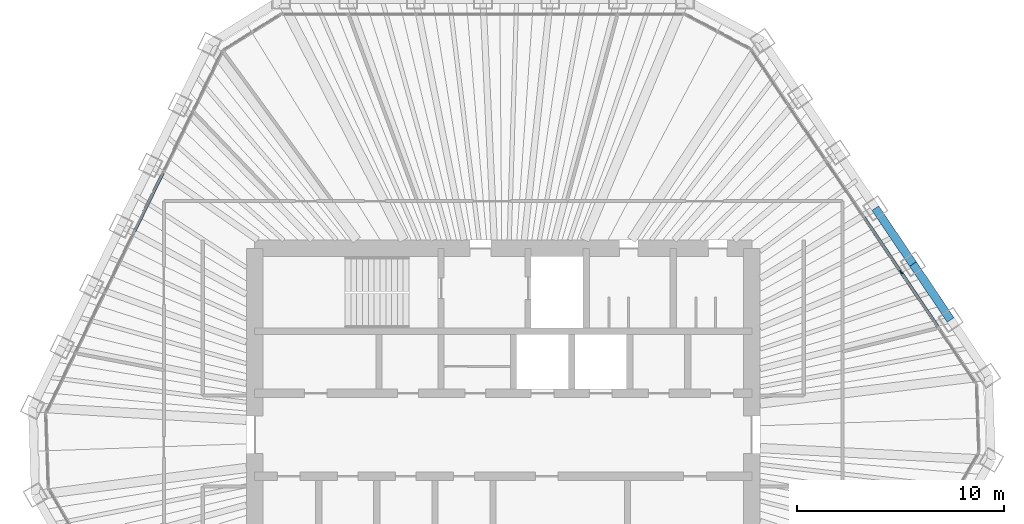
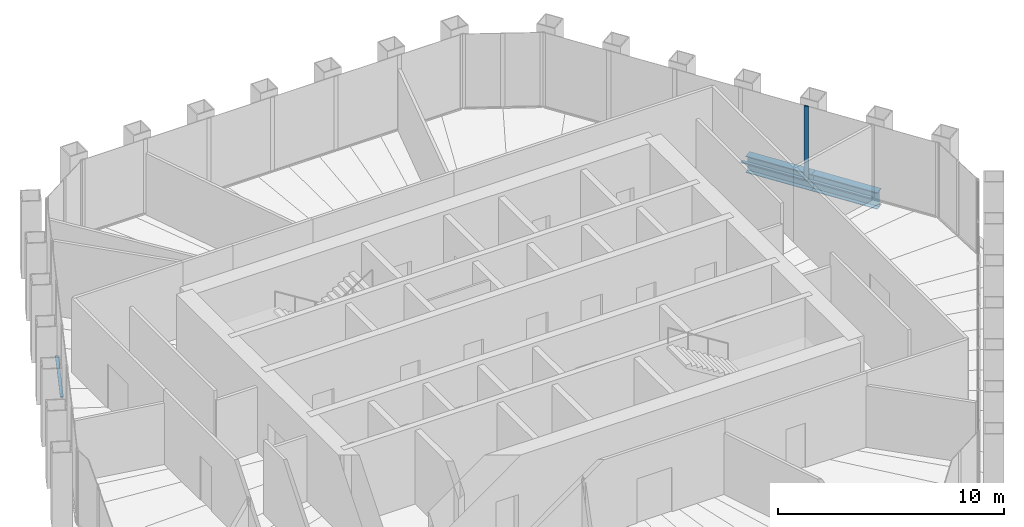
# One storey, part 6 of 14: 4 members, 2 beams, 2 elements without a shape of their own.
"""IFC4 building model written with IfcOpenShell, lengths in metres."""

from ifc_helpers import new_model, si_unit, direction, frame, origin, origin_2d, place, context, subcontext, project, spatial, rectangle, i_section, extrude, material, material_profile, profile_set, type_object, element, aggregate, save


model = new_model("IFC4")

# Units and contexts
model_context = context("Model", 3, precision=1e-05, world=origin(), true_north=direction((0.0, 1.0)))
body_context = subcontext(model_context, "Body", "Model", "MODEL_VIEW")
ifc_project = project(units=[si_unit("LENGTHUNIT", "METRE"), si_unit("AREAUNIT", "SQUARE_METRE"), si_unit("VOLUMEUNIT", "CUBIC_METRE"), si_unit("PLANEANGLEUNIT", "RADIAN"), si_unit("MASSUNIT", "GRAM", prefix="KILO")], contexts=[model_context])

# Site, building, storey
site_placement = place(None, origin())
site = spatial("IfcSite", under=ifc_project, at=site_placement, CompositionType="ELEMENT")
building_placement = place(site_placement, origin())
building = spatial("IfcBuilding", under=site, at=building_placement, Name="Qingtian Harvest Tower", CompositionType="ELEMENT")
storey_placement = place(building_placement, frame((0.0, 0.0, 320.800048828125)))
storey = spatial("IfcBuildingStorey", under=building, at=storey_placement, Name="L71", CompositionType="ELEMENT", Elevation=320.800048828125)

# Curtain wall, member
ifc_material_1 = material(Name="Bronze-anodised aluminium curtain wall", Category="aluminium")
curtain_wall_type = type_object("IfcCurtainWallType", Name="Curtain wall CW5 upper office", PredefinedType="USERDEFINED", material=ifc_material_1)
curtain_wall_1_placement = place(storey_placement, origin())
curtain_wall_1 = element("IfcCurtainWall", 1, at=curtain_wall_1_placement, inside=storey, type_object=curtain_wall_type, Name="Curtain wall CW5 L71 NE0-5", ObjectType="RECESSED CURTAIN WALL", PredefinedType="USERDEFINED")
ifc_material_2 = material(Name="Bronze-anodised aluminium mullion", Category="aluminium")
ifc_material_profile_1 = material_profile(ifc_material_2, rectangle(XDim=0.06494140625, YDim=0.199951171875, at=origin_2d()), Name="AL 65x200")
ifc_profile_set_1 = profile_set([ifc_material_profile_1], Name="Bronze-anodised aluminium mullion")
member_type_1 = type_object("IfcMemberType", Name="Mullion CWM 65x200", PredefinedType="MULLION", material=ifc_profile_set_1)
member_1_placement = place(storey_placement, frame((19.192626953125, 7.847900390625, 0.0), z_axis=(0.0, 0.0, 1.0), x_axis=(0.829037572555, 0.559192903471, 0.0)))
member_1 = element("IfcMember", 2, at=member_1_placement, type_object=member_type_1, Name="CW5 mullion 5", PredefinedType="MULLION", context=body_context, shape_type="SweptSolid", body=[
    extrude(rectangle(XDim=0.06494140625, YDim=0.199951171875, at=origin_2d()), origin(), (0.0, 0.0, 1.0), 4.030029296875),
])

# Beams
ifc_material_3 = material(Name="Steel SN490B", Category="steel")
ifc_material_profile_2 = material_profile(ifc_material_3, i_section(OverallWidth=0.39990234375, OverallDepth=0.89990234375, WebThickness=0.01904296875, FlangeThickness=0.035888671875, at=origin_2d()), Name="H900x400x19x36")
ifc_profile_set_2 = profile_set([ifc_material_profile_2], Name="Steel SN490B")
beam_type = type_object("IfcBeamType", Name="Spandrel beam SB4 H900x400x19x36", PredefinedType="SPANDREL", material=ifc_profile_set_2)
for number, where, z_axis, x_axis, name in (
    (3, (17.956787109375, 10.93212890625, -0.449951171875), (0.55915007887, -0.829066456504, 0.0), (0.829066456504, 0.55915007887, 0.0), "Spandrel SB4 NE3"),
    (4, (19.77294921875, 8.2392578125, -0.449951171875), (0.5592365864, -0.829008106372, 0.0), (0.829008106372, 0.5592365864, 0.0), "Spandrel SB4 NE4"),
):
    element("IfcBeam", number, at=place(storey_placement, frame(where, z_axis=z_axis, x_axis=x_axis)), inside=storey, type_object=beam_type, Name=name, PredefinedType="SPANDREL", context=body_context, shape_type="SweptSolid", body=[
        extrude(i_section(OverallWidth=0.39990234375, OverallDepth=0.89990234375, WebThickness=0.01904296875, FlangeThickness=0.035888671875, at=origin_2d()), origin(), (0.0, 0.0, 1.0), 3.248046875),
    ])

# Member
ifc_material_4 = material(Name="Bronze-anodised aluminium transom", Category="aluminium")
ifc_material_profile_3 = material_profile(ifc_material_4, rectangle(XDim=0.14990234375, YDim=0.06494140625, at=origin_2d()), Name="AL 65x150")
ifc_profile_set_3 = profile_set([ifc_material_profile_3], Name="Bronze-anodised aluminium transom")
member_type_2 = type_object("IfcMemberType", Name="Transom CWT 65x150", PredefinedType="USERDEFINED", material=ifc_profile_set_3)
member_2_placement = place(storey_placement, frame((17.39453125, 10.513671875, 0.032470703125), z_axis=(0.55920542009, -0.829029129852, 0.0), x_axis=(0.829029129852, 0.55920542009, 0.0)))
member_2 = element("IfcMember", 5, at=member_2_placement, type_object=member_type_2, Name="CW5 transom 4.1", ObjectType="TRANSOM", PredefinedType="USERDEFINED", context=body_context, shape_type="SweptSolid", body=[
    extrude(rectangle(XDim=0.14990234375, YDim=0.06494140625, at=origin_2d()), origin(), (0.0, 0.0, 1.0), 3.18310546875),
])

member_3_placement = place(storey_placement, frame((19.2109375, 7.821044921875, 0.032470703125), z_axis=(0.559152702955, -0.829064686727, 0.0), x_axis=(0.829064686727, 0.559152702955, 0.0)))
member_3 = element("IfcMember", 6, at=member_3_placement, type_object=member_type_2, Name="CW5 transom 5.1", ObjectType="TRANSOM", PredefinedType="USERDEFINED", context=body_context, shape_type="SweptSolid", body=[
    extrude(rectangle(XDim=0.14990234375, YDim=0.06494140625, at=origin_2d()), origin(), (0.0, 0.0, 1.0), 3.18310546875),
])

aggregate(curtain_wall_1, [member_1, member_2, member_3])

# Curtain wall, member
curtain_wall_2_placement = place(storey_placement, origin())
curtain_wall_2 = element("IfcCurtainWall", 7, at=curtain_wall_2_placement, inside=storey, type_object=curtain_wall_type, Name="Curtain wall CW5 L71 NW0-5", ObjectType="RECESSED CURTAIN WALL", PredefinedType="USERDEFINED")
member_4_placement = place(storey_placement, frame((-17.802490234375, 9.807373046875, 0.032470703125), z_axis=(0.438355626738, 0.898801615768, 0.0), x_axis=(-0.898801615768, 0.438355626738, 0.0)))
member_4 = element("IfcMember", 8, at=member_4_placement, type_object=member_type_2, Name="CW5 transom 4.1", ObjectType="TRANSOM", PredefinedType="USERDEFINED", context=body_context, shape_type="SweptSolid", body=[
    extrude(rectangle(XDim=0.14990234375, YDim=0.06494140625, at=origin_2d()), origin(), (0.0, 0.0, 1.0), 3.182861328125),
])
aggregate(curtain_wall_2, [member_4])

save(model, "model.ifc")
